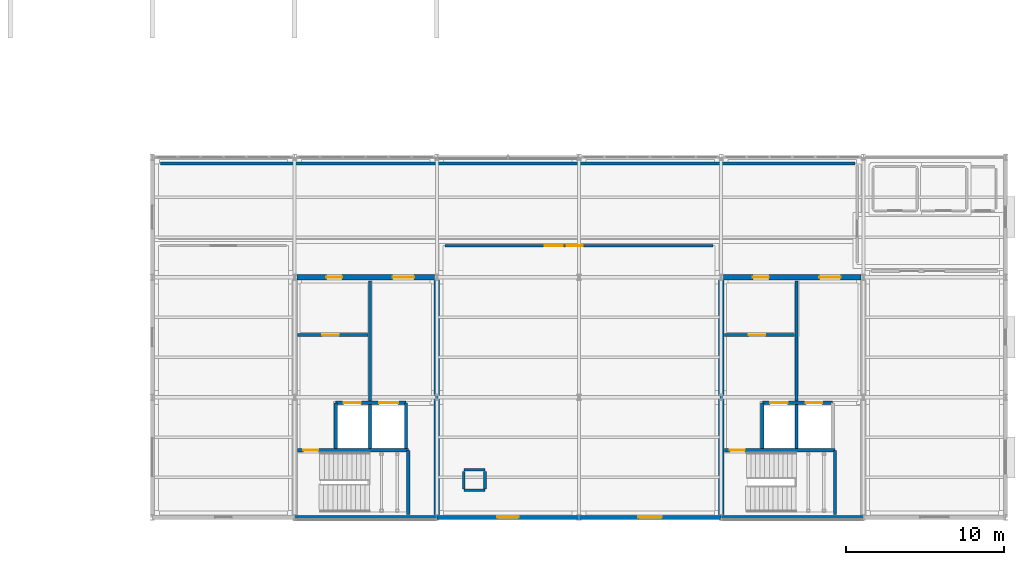
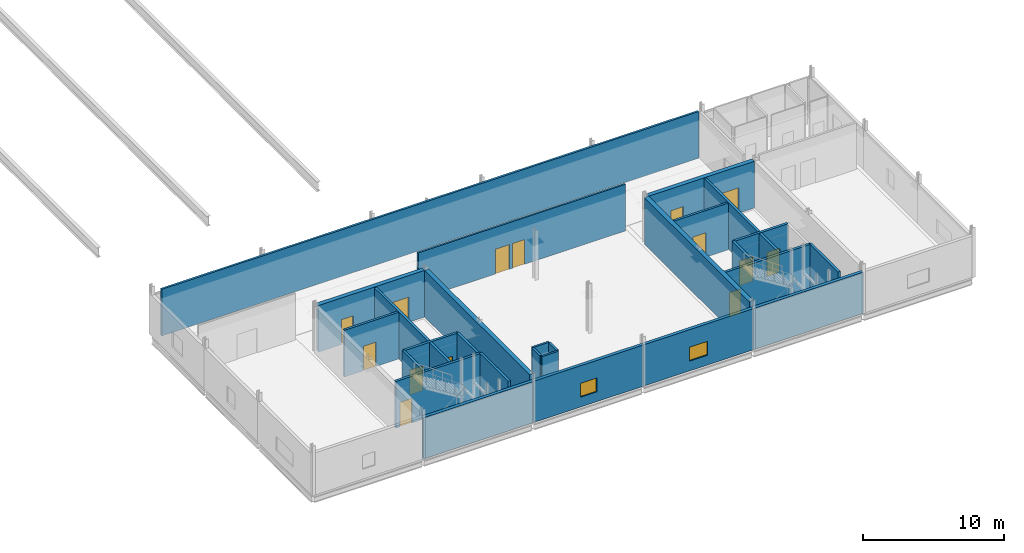
# One storey, part 86 of 96: 27 walls, 14 doors, 2 windows, 16 openings.
"""IFC4 building model written with IfcOpenShell, lengths in metres."""

import ifcopenshell
import ifcopenshell.guid

model = None  # the IFC model being written
_history = None  # IfcOwnerHistory: only IFC2X3 demands one
_inside = {}  # id of a spatial element -> (the spatial element, [elements in it])
_under = {}  # id of a project, library or spatial element -> (it, [spatial elements below it])
_declared = {}  # id of a project -> (the project, [libraries it declares])
_typed = {}  # id of a type object -> (the type object, [elements of that type])
_made_of = {}  # id of a material, layer set ... -> (it, [elements and type objects made of it])


def new_model(schema):
    """Start an empty IFC model of exactly this schema.

    Asked for "IFC4X3", IfcOpenShell would pick the latest addendum, in which some entities
    have other attributes; the version numbers below select the first issue.
    IFC2X3 requires an IfcOwnerHistory on every rooted entity: one is made here for all.
    """
    global model, _history
    if schema == "IFC4X3":
        model = ifcopenshell.file(schema_version=(4, 3, 0, 0))
    else:
        model = ifcopenshell.file(schema=schema)
    _inside.clear()
    _under.clear()
    _declared.clear()
    _typed.clear()
    _made_of.clear()
    _history = None
    if model.schema == "IFC2X3":
        org = make("IfcOrganization", Name="unknown")
        user = make(
            "IfcPersonAndOrganization",
            ThePerson=make("IfcPerson", FamilyName="unknown"),
            TheOrganization=org,
        )
        app = make(
            "IfcApplication",
            ApplicationDeveloper=org,
            Version="unknown",
            ApplicationFullName="unknown",
            ApplicationIdentifier="unknown",
        )
        _history = make(
            "IfcOwnerHistory",
            OwningUser=user,
            OwningApplication=app,
            ChangeAction="ADDED",
            CreationDate=0,
        )
    return model


def make(cls, **values):
    """One entity of the class cls with the attributes given. An attribute that is None is left unset."""
    return model.create_entity(
        cls, **{name: value for name, value in values.items() if value is not None}
    )


def rooted(cls, **values):
    """An entity with a GlobalId (a new one), such as an element, a storey or a relation."""
    return make(cls, GlobalId=ifcopenshell.guid.new(), OwnerHistory=_history, **values)


def si_unit(unit_type, name, prefix=None):
    """IfcSIUnit, for example si_unit("LENGTHUNIT", "METRE", prefix="MILLI")."""
    return make("IfcSIUnit", UnitType=unit_type, Prefix=prefix, Name=name)


def assignment(units):
    """IfcUnitAssignment: the units of a project."""
    return None if units is None else make("IfcUnitAssignment", Units=units)


def point(xyz):
    """IfcCartesianPoint."""
    return None if xyz is None else make("IfcCartesianPoint", Coordinates=xyz)


def direction(xyz):
    """IfcDirection."""
    return None if xyz is None else make("IfcDirection", DirectionRatios=xyz)


def frame(location, z_axis=None, x_axis=None):
    """IfcAxis2Placement3D, a coordinate frame: its origin and axes. An axis left out is left unset."""
    return make(
        "IfcAxis2Placement3D",
        Location=point(location),
        Axis=direction(z_axis),
        RefDirection=direction(x_axis),
    )


def frame_2d(location, x_axis=None):
    """IfcAxis2Placement2D, a coordinate frame in the plane: its origin and x axis."""
    return make(
        "IfcAxis2Placement2D", Location=point(location), RefDirection=direction(x_axis)
    )


def origin():
    """The frame at (0, 0, 0) with its axes left unset."""
    return frame((0.0, 0.0, 0.0))


def place(relative_to, where):
    """IfcLocalPlacement: puts the frame where relative to a parent placement (None: the world)."""
    return make(
        "IfcLocalPlacement", PlacementRelTo=relative_to, RelativePlacement=where
    )


def context(
    kind, dimensions, precision=None, world=None, true_north=None, identifier=None
):
    """IfcGeometricRepresentationContext, for example the 3D "Model" context."""
    return make(
        "IfcGeometricRepresentationContext",
        ContextIdentifier=identifier,
        ContextType=kind,
        CoordinateSpaceDimension=dimensions,
        Precision=precision,
        WorldCoordinateSystem=world,
        TrueNorth=true_north,
    )


def subcontext(parent, identifier, kind, view, scale=None):
    """IfcGeometricRepresentationSubContext, for example "Body" below "Model"."""
    return make(
        "IfcGeometricRepresentationSubContext",
        ContextIdentifier=identifier,
        ContextType=kind,
        ParentContext=parent,
        TargetScale=scale,
        TargetView=view,
    )


def project(units=None, contexts=None):
    """IfcProject with its units and contexts."""
    return rooted(
        "IfcProject",
        Name="project",
        RepresentationContexts=contexts,
        UnitsInContext=assignment(units),
    )


def spatial(cls, under=None, at=None, **own):
    """A site, building, storey or space (cls), placed at a placement, below another one or the project."""
    s = rooted(cls, ObjectPlacement=at, **own)
    if under is not None:
        _under.setdefault(under.id(), (under, []))[1].append(s)
    return s


def profile(cls, at=None, kind="AREA", **sizes):
    """A parametric profile (cls). Its sizes go by their IFC names, for example OverallWidth=200.0."""
    return make(cls, ProfileType=kind, Position=at, **sizes)


def rectangle(**sizes):
    """IfcRectangleProfileDef."""
    return profile("IfcRectangleProfileDef", **sizes)


def extrude(swept, where, along, depth):
    """IfcExtrudedAreaSolid: the profile swept, set in the frame where, extruded along a direction by depth."""
    return make(
        "IfcExtrudedAreaSolid",
        SweptArea=swept,
        Position=where,
        ExtrudedDirection=direction(along),
        Depth=depth,
    )


def shape(context_of_items, identifier, shape_type, items):
    """IfcShapeRepresentation: the items that make up one representation, for example the "Body"."""
    return make(
        "IfcShapeRepresentation",
        ContextOfItems=context_of_items,
        RepresentationIdentifier=identifier,
        RepresentationType=shape_type,
        Items=items,
    )


def material(Name=None, Category=None):
    """IfcMaterial."""
    return make("IfcMaterial", Name=Name, Category=Category)


def layer(
    of_material, thickness, ventilated=None, Name=None, Category=None, Priority=None
):
    """IfcMaterialLayer: one layer of a wall or slab, of a material (None: an air gap)."""
    return make(
        "IfcMaterialLayer",
        Material=of_material,
        LayerThickness=thickness,
        IsVentilated=ventilated,
        Name=Name,
        Category=Category,
        Priority=Priority,
    )


def layer_set(layers, Name=None):
    """IfcMaterialLayerSet."""
    return make("IfcMaterialLayerSet", MaterialLayers=layers, LayerSetName=Name)


def made_of(thing, what):
    """Note that an element or type object is made of a material, layer set ...; save() writes the relation."""
    if what is not None:
        _made_of.setdefault(what.id(), (what, []))[1].append(thing)
    return thing


def type_object(cls, material=None, **own):
    """A type object (cls), such as IfcWallType, which elements share."""
    return made_of(rooted(cls, **own), material)


def element(
    cls,
    number,
    at=None,
    inside=None,
    cuts=None,
    type_object=None,
    material=None,
    context=None,
    identifier="Body",
    shape_type=None,
    held_by="IfcProductDefinitionShape",
    body=None,
    shapes=None,
    **own,
):
    """One element of the class cls, such as IfcWall. Its Tag is "e" and its number.

    at: its placement. inside: the storey or other place that contains it. cuts: it is an
    opening in that element (IfcRelVoidsElement). A single representation is given by context,
    identifier, shape_type and body (its items); several are given by shapes. held_by: the class
    of the entity that holds the representations. save() writes the other relations.
    """
    e = rooted(cls, Tag="e%d" % number, ObjectPlacement=at, **own)
    if body is not None:
        shapes = [shape(context, identifier, shape_type, body)]
    if shapes is not None:
        e.Representation = make(held_by, Representations=shapes)
    if inside is not None:
        _inside.setdefault(inside.id(), (inside, []))[1].append(e)
    if cuts is not None:
        rooted(
            "IfcRelVoidsElement", RelatingBuildingElement=cuts, RelatedOpeningElement=e
        )
    if type_object is not None:
        _typed.setdefault(type_object.id(), (type_object, []))[1].append(e)
    return made_of(e, material)


def fill(opening, filler):
    """IfcRelFillsElement: the door or window that sits in an opening."""
    return rooted(
        "IfcRelFillsElement",
        RelatingOpeningElement=opening,
        RelatedBuildingElement=filler,
    )


def aggregate(whole, parts):
    """IfcRelAggregates: a whole, such as a stair, and the parts it consists of."""
    return rooted("IfcRelAggregates", RelatingObject=whole, RelatedObjects=parts)


def save(model, path):
    """Write the relations noted so far, then the file.

    IfcRelAggregates (storeys below a building ...), IfcRelContainedInSpatialStructure (elements
    in a storey), IfcRelDefinesByType, IfcRelAssociatesMaterial and IfcRelDeclares: one each for
    every whole, place, type object, material and project.
    """
    for whole, parts in _under.values():
        aggregate(whole, parts)
    for where, things in _inside.values():
        rooted(
            "IfcRelContainedInSpatialStructure",
            RelatedElements=things,
            RelatingStructure=where,
        )
    for kind, things in _typed.values():
        rooted("IfcRelDefinesByType", RelatedObjects=things, RelatingType=kind)
    for what, things in _made_of.values():
        rooted("IfcRelAssociatesMaterial", RelatedObjects=things, RelatingMaterial=what)
    for by, libraries in _declared.values():
        rooted("IfcRelDeclares", RelatingContext=by, RelatedDefinitions=libraries)
    model.write(path)


model = new_model("IFC4")

# Units and contexts
model_context = context("Model", 3, precision=1e-05, world=origin(), true_north=direction((0.0, 1.0)))
body_context = subcontext(model_context, "Body", "Model", "MODEL_VIEW")
ifc_project = project(units=[si_unit("LENGTHUNIT", "METRE"), si_unit("AREAUNIT", "SQUARE_METRE"), si_unit("VOLUMEUNIT", "CUBIC_METRE"), si_unit("PLANEANGLEUNIT", "RADIAN"), si_unit("MASSUNIT", "GRAM", prefix="KILO")], contexts=[model_context])

# Site, building, storey
site_placement = place(None, origin())
site = spatial("IfcSite", under=ifc_project, at=site_placement, CompositionType="ELEMENT")
building_placement = place(site_placement, origin())
building = spatial("IfcBuilding", under=site, at=building_placement, Name="Caisbarro Railhouse Central Library", CompositionType="ELEMENT")
storey_placement = place(building_placement, frame((0.0, 0.0, 13.679931640625)))
storey = spatial("IfcBuildingStorey", under=building, at=storey_placement, Name="L03", CompositionType="ELEMENT", Elevation=13.679931640625)

# Wall, openings, doors
ifc_material_1 = material(Name="Concrete C40", Category="concrete")
ifc_layer_1 = layer(ifc_material_1, 0.35009765625, Name="Concrete C40")
ifc_layer_set_1 = layer_set([ifc_layer_1], Name="Concrete C40")
wall_type_1 = type_object("IfcWallType", Name="WAL-CW35", PredefinedType="SHEAR", material=ifc_layer_set_1)
wall_1_placement = place(storey_placement, frame((63.159912109375, 15.199951171875, 0.0), z_axis=(0.0, 0.0, 1.0), x_axis=(1.0, 0.0, 0.0)))
wall_1 = element("IfcWall", 1, at=wall_1_placement, inside=storey, type_object=wall_type_1, Name="CW35 RC core shear wall L03 #13", PredefinedType="SHEAR", context=body_context, shape_type="SweptSolid", body=[
    extrude(rectangle(XDim=8.68017578125, YDim=0.35009765625, at=frame_2d((4.340087890625, 0.0))), origin(), (0.0, 0.0, 1.0), 4.0400390625),
])
opening_1_placement = place(wall_1_placement, frame((1.85009765625, 0.0, 0.0)))
opening_1 = element("IfcOpeningElement", 2, at=opening_1_placement, cuts=wall_1, Name="Opening FD05", PredefinedType="OPENING", context=body_context, shape_type="SweptSolid", body=[
    extrude(rectangle(XDim=1.0, YDim=2.14990234375, at=frame_2d((0.5, 1.074951171875))), frame((0.0, 0.18505859375, 0.0), z_axis=(0.0, -1.0, 0.0), x_axis=(1.0, 0.0, 0.0)), (0.0, 0.0, 1.0), 0.3701171875),
])
opening_2_placement = place(wall_1_placement, frame((6.050048828125, 0.0, 0.0)))
opening_2 = element("IfcOpeningElement", 3, at=opening_2_placement, cuts=wall_1, Name="Opening FD06", PredefinedType="OPENING", context=body_context, shape_type="SweptSolid", body=[
    extrude(rectangle(XDim=1.35009765625, YDim=2.179931640625, at=frame_2d((0.675048828125, 1.08984375))), frame((0.0, 0.18505859375, 0.0), z_axis=(0.0, -1.0, 0.0), x_axis=(1.0, 0.0, 0.0)), (0.0, 0.0, 1.0), 0.3701171875),
])
ifc_material_2 = material(Name="Fire-rated painted galvanised steel", Category="steel")
door_type_1 = type_object("IfcDoorType", Name="DR-FD05", OperationType="NOTDEFINED", PredefinedType="DOOR", material=ifc_material_2)
door_1_placement = place(opening_1_placement, origin())
door_1 = element("IfcDoor", 4, at=door_1_placement, inside=storey, type_object=door_type_1, Name="Core K1 Vestibule Door FD05 L03-029", OperationType="SINGLE_SWING_LEFT", OverallHeight=2.14990234375, OverallWidth=1.0, PredefinedType="DOOR", context=body_context, shape_type="SweptSolid", body=[
    extrude(rectangle(XDim=1.0, YDim=2.14990234375, at=frame_2d((0.5, 1.074951171875))), frame((0.0, 0.02490234375, 0.0), z_axis=(0.0, -1.0, 0.0), x_axis=(1.0, 0.0, 0.0)), (0.0, 0.0, 1.0), 0.050048828125),
])
fill(opening_1, door_1)
door_type_2 = type_object("IfcDoorType", Name="DR-FD06", OperationType="NOTDEFINED", PredefinedType="DOOR", material=ifc_material_2)
door_2_placement = place(opening_2_placement, origin())
door_2 = element("IfcDoor", 5, at=door_2_placement, inside=storey, type_object=door_type_2, Name="Core K1 Lift Lobby Door FD06 L03-030", OperationType="SINGLE_SWING_RIGHT", OverallHeight=2.179931640625, OverallWidth=1.35009765625, PredefinedType="DOOR", context=body_context, shape_type="SweptSolid", body=[
    extrude(rectangle(XDim=1.35009765625, YDim=2.179931640625, at=frame_2d((0.675048828125, 1.08984375))), frame((0.0, 0.02490234375, 0.0), z_axis=(0.0, -1.0, 0.0), x_axis=(1.0, 0.0, 0.0)), (0.0, 0.0, 1.0), 0.050048828125),
])
fill(opening_2, door_2)

# Wall
wall_2_placement = place(storey_placement, frame((72.0, 0.159912109375, 0.0), z_axis=(0.0, 0.0, 1.0), x_axis=(0.0, 1.0, 0.0)))
element("IfcWall", 6, at=wall_2_placement, inside=storey, type_object=wall_type_1, Name="CW35 RC core shear wall L03 #15", PredefinedType="SHEAR", context=body_context, shape_type="SweptSolid", body=[
    extrude(rectangle(XDim=14.880126953125, YDim=0.35009765625, at=frame_2d((7.43994140625, 0.0))), origin(), (0.0, 0.0, 1.0), 4.0400390625),
])

# Wall, openings, doors
wall_3_placement = place(storey_placement, frame((90.159912109375, 15.199951171875, 0.0), z_axis=(0.0, 0.0, 1.0), x_axis=(1.0, 0.0, 0.0)))
wall_3 = element("IfcWall", 7, at=wall_3_placement, inside=storey, type_object=wall_type_1, Name="CW35 RC core shear wall L03 #32", PredefinedType="SHEAR", context=body_context, shape_type="SweptSolid", body=[
    extrude(rectangle(XDim=8.68017578125, YDim=0.35009765625, at=frame_2d((4.340087890625, 0.0))), origin(), (0.0, 0.0, 1.0), 4.0400390625),
])
opening_3_placement = place(wall_3_placement, frame((1.85009765625, 0.0, 0.0)))
opening_3 = element("IfcOpeningElement", 8, at=opening_3_placement, cuts=wall_3, Name="Opening FD05", PredefinedType="OPENING", context=body_context, shape_type="SweptSolid", body=[
    extrude(rectangle(XDim=1.0, YDim=2.14990234375, at=frame_2d((0.5, 1.074951171875))), frame((0.0, 0.18505859375, 0.0), z_axis=(0.0, -1.0, 0.0), x_axis=(1.0, 0.0, 0.0)), (0.0, 0.0, 1.0), 0.3701171875),
])
opening_4_placement = place(wall_3_placement, frame((6.050048828125, 0.0, 0.0)))
opening_4 = element("IfcOpeningElement", 9, at=opening_4_placement, cuts=wall_3, Name="Opening FD06", PredefinedType="OPENING", context=body_context, shape_type="SweptSolid", body=[
    extrude(rectangle(XDim=1.35009765625, YDim=2.179931640625, at=frame_2d((0.675048828125, 1.08984375))), frame((0.0, 0.18505859375, 0.0), z_axis=(0.0, -1.0, 0.0), x_axis=(1.0, 0.0, 0.0)), (0.0, 0.0, 1.0), 0.3701171875),
])
door_3_placement = place(opening_3_placement, origin())
door_3 = element("IfcDoor", 10, at=door_3_placement, inside=storey, type_object=door_type_1, Name="Core K2 Vestibule Door FD05 L03-071", OperationType="SINGLE_SWING_LEFT", OverallHeight=2.14990234375, OverallWidth=1.0, PredefinedType="DOOR", context=body_context, shape_type="SweptSolid", body=[
    extrude(rectangle(XDim=1.0, YDim=2.14990234375, at=frame_2d((0.5, 1.074951171875))), frame((0.0, 0.02490234375, 0.0), z_axis=(0.0, -1.0, 0.0), x_axis=(1.0, 0.0, 0.0)), (0.0, 0.0, 1.0), 0.050048828125),
])
fill(opening_3, door_3)
door_4_placement = place(opening_4_placement, origin())
door_4 = element("IfcDoor", 11, at=door_4_placement, inside=storey, type_object=door_type_2, Name="Core K2 Lift Lobby Door FD06 L03-072", OperationType="SINGLE_SWING_RIGHT", OverallHeight=2.179931640625, OverallWidth=1.35009765625, PredefinedType="DOOR", context=body_context, shape_type="SweptSolid", body=[
    extrude(rectangle(XDim=1.35009765625, YDim=2.179931640625, at=frame_2d((0.675048828125, 1.08984375))), frame((0.0, 0.02490234375, 0.0), z_axis=(0.0, -1.0, 0.0), x_axis=(1.0, 0.0, 0.0)), (0.0, 0.0, 1.0), 0.050048828125),
])
fill(opening_4, door_4)

# Walls
wall_4_placement = place(storey_placement, frame((90.0, 0.159912109375, 0.0), z_axis=(0.0, 0.0, 1.0), x_axis=(0.0, 1.0, 0.0)))
element("IfcWall", 12, at=wall_4_placement, inside=storey, type_object=wall_type_1, Name="CW35 RC core shear wall L03 #33", PredefinedType="SHEAR", context=body_context, shape_type="SweptSolid", body=[
    extrude(rectangle(XDim=14.880126953125, YDim=0.35009765625, at=frame_2d((7.43994140625, 0.0))), origin(), (0.0, 0.0, 1.0), 4.0400390625),
])
ifc_material_3 = material(Name="Concrete C35 insulated architectural precast", Category="concrete")
ifc_layer_2 = layer(ifc_material_3, 0.260009765625, Name="Concrete C35 insulated architectural precast")
ifc_layer_set_2 = layer_set([ifc_layer_2], Name="Concrete C35 insulated architectural precast")
wall_type_2 = type_object("IfcWallType", Name="WAL-EW26", PredefinedType="STANDARD", material=ifc_layer_set_2)
wall_5_placement = place(storey_placement, frame((63.0, 0.0, 0.0), z_axis=(0.0, 0.0, 1.0), x_axis=(1.0, 0.0, 0.0)))
element("IfcWall", 13, at=wall_5_placement, inside=storey, type_object=wall_type_2, Name="EW26 exterior wall L03 #106", PredefinedType="STANDARD", context=body_context, shape_type="SweptSolid", body=[
    extrude(rectangle(XDim=9.0, YDim=0.260009765625, at=frame_2d((4.5, 0.0))), origin(), (0.0, 0.0, 1.0), 3.571044921875),
])

# Wall, opening, window
wall_6_placement = place(storey_placement, frame((72.0, 0.0, 0.0), z_axis=(0.0, 0.0, 1.0), x_axis=(1.0, 0.0, 0.0)))
wall_6 = element("IfcWall", 14, at=wall_6_placement, inside=storey, type_object=wall_type_2, Name="EW26 exterior wall L03 #107", PredefinedType="STANDARD", context=body_context, shape_type="SweptSolid", body=[
    extrude(rectangle(XDim=9.0, YDim=0.260009765625, at=frame_2d((4.5, 0.0))), origin(), (0.0, 0.0, 1.0), 3.571044921875),
])
opening_5_placement = place(wall_6_placement, frame((3.824951171875, 0.0, 0.85009765625)))
opening_5 = element("IfcOpeningElement", 15, at=opening_5_placement, cuts=wall_6, Name="Opening W04", PredefinedType="OPENING", context=body_context, shape_type="SweptSolid", body=[
    extrude(rectangle(XDim=1.35009765625, YDim=1.199951171875, at=frame_2d((0.675048828125, 0.60009765625))), frame((0.0, 0.14013671875, 0.0), z_axis=(0.0, -1.0, 0.0), x_axis=(1.0, 0.0, 0.0)), (0.0, 0.0, 1.0), 0.280029296875),
])
ifc_material_4 = material(Name="Double low-e laminated solar-control glass", Category="glass")
window_type_1 = type_object("IfcWindowType", Name="WIN-W04", PartitioningType="SINGLE_PANEL", PredefinedType="WINDOW", material=ifc_material_4)
window_1_placement = place(opening_5_placement, origin())
window_1 = element("IfcWindow", 16, at=window_1_placement, inside=storey, type_object=window_type_1, Name="W04 window L03-028", OverallHeight=1.199951171875, OverallWidth=1.35009765625, PartitioningType="SINGLE_PANEL", PredefinedType="WINDOW", context=body_context, shape_type="SweptSolid", body=[
    extrude(rectangle(XDim=1.35009765625, YDim=1.199951171875, at=frame_2d((0.675048828125, 0.60009765625))), frame((0.0, 0.030029296875, 0.0), z_axis=(0.0, -1.0, 0.0), x_axis=(1.0, 0.0, 0.0)), (0.0, 0.0, 1.0), 0.06005859375),
])
fill(opening_5, window_1)

wall_7_placement = place(storey_placement, frame((81.0, 0.0, 0.0), z_axis=(0.0, 0.0, 1.0), x_axis=(1.0, 0.0, 0.0)))
wall_7 = element("IfcWall", 17, at=wall_7_placement, inside=storey, type_object=wall_type_2, Name="EW26 exterior wall L03 #108", PredefinedType="STANDARD", context=body_context, shape_type="SweptSolid", body=[
    extrude(rectangle(XDim=9.0, YDim=0.260009765625, at=frame_2d((4.5, 0.0))), origin(), (0.0, 0.0, 1.0), 3.571044921875),
])
opening_6_placement = place(wall_7_placement, frame((3.75, 0.0, 0.85009765625)))
opening_6 = element("IfcOpeningElement", 18, at=opening_6_placement, cuts=wall_7, Name="Opening W05", PredefinedType="OPENING", context=body_context, shape_type="SweptSolid", body=[
    extrude(rectangle(XDim=1.5, YDim=1.199951171875, at=frame_2d((0.75, 0.60009765625))), frame((0.0, 0.14013671875, 0.0), z_axis=(0.0, -1.0, 0.0), x_axis=(1.0, 0.0, 0.0)), (0.0, 0.0, 1.0), 0.280029296875),
])
window_type_2 = type_object("IfcWindowType", Name="WIN-W05", PartitioningType="SINGLE_PANEL", PredefinedType="WINDOW", material=ifc_material_4)
window_2_placement = place(opening_6_placement, origin())
window_2 = element("IfcWindow", 19, at=window_2_placement, inside=storey, type_object=window_type_2, Name="W05 window L03-029", OverallHeight=1.199951171875, OverallWidth=1.5, PartitioningType="SINGLE_PANEL", PredefinedType="WINDOW", context=body_context, shape_type="SweptSolid", body=[
    extrude(rectangle(XDim=1.5, YDim=1.199951171875, at=frame_2d((0.75, 0.60009765625))), frame((0.0, 0.030029296875, 0.0), z_axis=(0.0, -1.0, 0.0), x_axis=(1.0, 0.0, 0.0)), (0.0, 0.0, 1.0), 0.06005859375),
])
fill(opening_6, window_2)

# Wall
wall_8_placement = place(storey_placement, frame((90.0, 0.0, 0.0), z_axis=(0.0, 0.0, 1.0), x_axis=(1.0, 0.0, 0.0)))
element("IfcWall", 20, at=wall_8_placement, inside=storey, type_object=wall_type_2, Name="EW26 exterior wall L03 #109", PredefinedType="STANDARD", context=body_context, shape_type="SweptSolid", body=[
    extrude(rectangle(XDim=9.0, YDim=0.260009765625, at=frame_2d((4.5, 0.0))), origin(), (0.0, 0.0, 1.0), 3.571044921875),
])

# Wall, openings, doors
ifc_material_5 = material(Name="Acoustic gypsum board on galvanised steel studs", Category="steel")
ifc_layer_3 = layer(ifc_material_5, 0.14990234375, Name="Acoustic gypsum board on galvanised steel studs")
ifc_layer_set_3 = layer_set([ifc_layer_3], Name="Acoustic gypsum board on galvanised steel studs")
wall_type_3 = type_object("IfcWallType", Name="WAL-IW15", PredefinedType="PARTITIONING", material=ifc_layer_set_3)
wall_9_placement = place(storey_placement, frame((72.52001953125, 17.199951171875, 0.0), z_axis=(0.0, 0.0, 1.0), x_axis=(1.0, 0.0, 0.0)))
wall_9 = element("IfcWall", 21, at=wall_9_placement, inside=storey, type_object=wall_type_3, Name="IW15 partition wall L03 #545", PredefinedType="PARTITIONING", context=body_context, shape_type="SweptSolid", body=[
    extrude(rectangle(XDim=16.9599609375, YDim=0.14990234375, at=frame_2d((8.47998046875, 0.0))), origin(), (0.0, 0.0, 1.0), 4.0400390625),
])
opening_7_placement = place(wall_9_placement, frame((7.715087890625, 0.0, 0.0)))
opening_7 = element("IfcOpeningElement", 22, at=opening_7_placement, cuts=wall_9, Name="Opening FD05", PredefinedType="OPENING", context=body_context, shape_type="SweptSolid", body=[
    extrude(rectangle(XDim=1.0, YDim=2.14990234375, at=frame_2d((0.5, 1.074951171875))), frame((0.0, 0.0849609375, 0.0), z_axis=(0.0, -1.0, 0.0), x_axis=(1.0, 0.0, 0.0)), (0.0, 0.0, 1.0), 0.169921875),
])
opening_8_placement = place(wall_9_placement, frame((6.304931640625, 0.0, 0.0)))
opening_8 = element("IfcOpeningElement", 23, at=opening_8_placement, cuts=wall_9, Name="Opening FD03", PredefinedType="OPENING", context=body_context, shape_type="SweptSolid", body=[
    extrude(rectangle(XDim=1.14990234375, YDim=2.14990234375, at=frame_2d((0.574951171875, 1.074951171875))), frame((0.0, 0.0849609375, 0.0), z_axis=(0.0, -1.0, 0.0), x_axis=(1.0, 0.0, 0.0)), (0.0, 0.0, 1.0), 0.169921875),
])
door_type_3 = type_object("IfcDoorType", Name="DR-FD03", OperationType="NOTDEFINED", PredefinedType="DOOR", material=ifc_material_2)
door_5_placement = place(opening_8_placement, origin())
door_5 = element("IfcDoor", 24, at=door_5_placement, inside=storey, type_object=door_type_3, Name="Archive Corridor L03 Door FD03 L03-326", OperationType="SINGLE_SWING_RIGHT", OverallHeight=2.14990234375, OverallWidth=1.14990234375, PredefinedType="DOOR", context=body_context, shape_type="SweptSolid", body=[
    extrude(rectangle(XDim=1.14990234375, YDim=2.14990234375, at=frame_2d((0.574951171875, 1.074951171875))), frame((0.0, 0.02490234375, 0.0), z_axis=(0.0, -1.0, 0.0), x_axis=(1.0, 0.0, 0.0)), (0.0, 0.0, 1.0), 0.050048828125),
])
fill(opening_8, door_5)
door_6_placement = place(opening_7_placement, origin())
door_6 = element("IfcDoor", 25, at=door_6_placement, inside=storey, type_object=door_type_1, Name="Law and Public-Policy Open Stacks Door FD05 L03-309", OperationType="SINGLE_SWING_LEFT", OverallHeight=2.14990234375, OverallWidth=1.0, PredefinedType="DOOR", context=body_context, shape_type="SweptSolid", body=[
    extrude(rectangle(XDim=1.0, YDim=2.14990234375, at=frame_2d((0.5, 1.074951171875))), frame((0.0, 0.02490234375, 0.0), z_axis=(0.0, -1.0, 0.0), x_axis=(1.0, 0.0, 0.0)), (0.0, 0.0, 1.0), 0.050048828125),
])
fill(opening_7, door_6)

# Walls
ifc_material_6 = material(Name="Plastered cellular concrete masonry", Category="masonry")
ifc_layer_4 = layer(ifc_material_6, 0.169921875, Name="Plastered cellular concrete masonry")
ifc_layer_set_4 = layer_set([ifc_layer_4], Name="Plastered cellular concrete masonry")
wall_type_4 = type_object("IfcWallType", Name="WAL-IW17", PredefinedType="PARTITIONING", material=ifc_layer_set_4)
wall_10_placement = place(storey_placement, frame((73.7099609375, 1.7099609375, 0.0), z_axis=(0.0, 0.0, 1.0), x_axis=(1.0, 0.0, 0.0)))
element("IfcWall", 26, at=wall_10_placement, inside=storey, type_object=wall_type_4, Name="IW17 partition wall L03 #227", PredefinedType="PARTITIONING", context=body_context, shape_type="SweptSolid", body=[
    extrude(rectangle(XDim=1.340087890625, YDim=0.169921875, at=frame_2d((0.669921875, 0.0))), origin(), (0.0, 0.0, 1.0), 4.0400390625),
])
wall_11_placement = place(storey_placement, frame((75.050048828125, 1.800048828125, 0.0), z_axis=(0.0, 0.0, 1.0), x_axis=(0.0, 1.0, 0.0)))
element("IfcWall", 27, at=wall_11_placement, inside=storey, type_object=wall_type_4, Name="IW17 partition wall L03 #228", PredefinedType="PARTITIONING", context=body_context, shape_type="SweptSolid", body=[
    extrude(rectangle(XDim=1.119873046875, YDim=0.169921875, at=frame_2d((0.56005859375, 0.0))), origin(), (0.0, 0.0, 1.0), 4.0400390625),
])
wall_12_placement = place(storey_placement, frame((75.050048828125, 3.010009765625, 0.0), z_axis=(0.0, 0.0, 1.0), x_axis=(-1.0, 0.0, 0.0)))
element("IfcWall", 28, at=wall_12_placement, inside=storey, type_object=wall_type_4, Name="IW17 partition wall L03 #229", PredefinedType="PARTITIONING", context=body_context, shape_type="SweptSolid", body=[
    extrude(rectangle(XDim=1.340087890625, YDim=0.169921875, at=frame_2d((0.669921875, 0.0))), origin(), (0.0, 0.0, 1.0), 4.0400390625),
])
wall_13_placement = place(storey_placement, frame((73.7099609375, 2.919921875, 0.0), z_axis=(0.0, 0.0, 1.0), x_axis=(0.0, -1.0, 0.0)))
element("IfcWall", 29, at=wall_13_placement, inside=storey, type_object=wall_type_4, Name="IW17 partition wall L03 #230", PredefinedType="PARTITIONING", context=body_context, shape_type="SweptSolid", body=[
    extrude(rectangle(XDim=1.119873046875, YDim=0.169921875, at=frame_2d((0.56005859375, 0.0))), origin(), (0.0, 0.0, 1.0), 4.0400390625),
])
wall_14_placement = place(storey_placement, frame((54.52001953125, 22.39990234375, 0.0), z_axis=(0.0, 0.0, 1.0), x_axis=(1.0, 0.0, 0.0)))
element("IfcWall", 30, at=wall_14_placement, inside=storey, type_object=wall_type_4, Name="IW17 partition wall L03 #595", PredefinedType="PARTITIONING", context=body_context, shape_type="SweptSolid", body=[
    extrude(rectangle(XDim=43.9599609375, YDim=0.169921875, at=frame_2d((21.97998046875, 0.0))), origin(), (0.0, 0.0, 1.0), 4.0400390625),
])

# Wall, opening, door
ifc_layer_5 = layer(ifc_material_6, 0.18994140625, Name="Plastered cellular concrete masonry")
ifc_layer_set_5 = layer_set([ifc_layer_5], Name="Plastered cellular concrete masonry")
wall_type_5 = type_object("IfcWallType", Name="WAL-SW19", PredefinedType="SOLIDWALL", material=ifc_layer_set_5)
wall_15_placement = place(storey_placement, frame((63.199951171875, 11.550048828125, 0.0), z_axis=(0.0, 0.0, 1.0), x_axis=(1.0, 0.0, 0.0)))
wall_15 = element("IfcWall", 31, at=wall_15_placement, inside=storey, type_object=wall_type_5, Name="SW19 partition wall L03 #35", PredefinedType="SOLIDWALL", context=body_context, shape_type="SweptSolid", body=[
    extrude(rectangle(XDim=4.449951171875, YDim=0.18994140625, at=frame_2d((2.22509765625, 0.0))), origin(), (0.0, 0.0, 1.0), 4.0400390625),
])
opening_9_placement = place(wall_15_placement, frame((1.550048828125, 0.0, 0.0)))
opening_9 = element("IfcOpeningElement", 32, at=opening_9_placement, cuts=wall_15, Name="Opening FD02", PredefinedType="OPENING", context=body_context, shape_type="SweptSolid", body=[
    extrude(rectangle(XDim=1.050048828125, YDim=2.1201171875, at=frame_2d((0.52490234375, 1.06005859375))), frame((0.0, 0.10498046875, 0.0), z_axis=(0.0, -1.0, 0.0), x_axis=(1.0, 0.0, 0.0)), (0.0, 0.0, 1.0), 0.2099609375),
])
door_type_4 = type_object("IfcDoorType", Name="DR-FD02", OperationType="NOTDEFINED", PredefinedType="DOOR", material=ifc_material_2)
door_7_placement = place(opening_9_placement, origin())
door_7 = element("IfcDoor", 33, at=door_7_placement, inside=storey, type_object=door_type_4, Name="Firefighting Lobby K1 Door FD02 L03-028", OperationType="SINGLE_SWING_RIGHT", OverallHeight=2.1201171875, OverallWidth=1.050048828125, PredefinedType="DOOR", context=body_context, shape_type="SweptSolid", body=[
    extrude(rectangle(XDim=1.050048828125, YDim=2.1201171875, at=frame_2d((0.52490234375, 1.06005859375))), frame((0.0, 0.02490234375, 0.0), z_axis=(0.0, -1.0, 0.0), x_axis=(1.0, 0.0, 0.0)), (0.0, 0.0, 1.0), 0.050048828125),
])
fill(opening_9, door_7)

wall_16_placement = place(storey_placement, frame((90.199951171875, 11.550048828125, 0.0), z_axis=(0.0, 0.0, 1.0), x_axis=(1.0, 0.0, 0.0)))
wall_16 = element("IfcWall", 34, at=wall_16_placement, inside=storey, type_object=wall_type_5, Name="SW19 partition wall L03 #84", PredefinedType="SOLIDWALL", context=body_context, shape_type="SweptSolid", body=[
    extrude(rectangle(XDim=4.449951171875, YDim=0.18994140625, at=frame_2d((2.22509765625, 0.0))), origin(), (0.0, 0.0, 1.0), 4.0400390625),
])
opening_10_placement = place(wall_16_placement, frame((1.550048828125, 0.0, 0.0)))
opening_10 = element("IfcOpeningElement", 35, at=opening_10_placement, cuts=wall_16, Name="Opening FD02", PredefinedType="OPENING", context=body_context, shape_type="SweptSolid", body=[
    extrude(rectangle(XDim=1.050048828125, YDim=2.1201171875, at=frame_2d((0.52490234375, 1.06005859375))), frame((0.0, 0.10498046875, 0.0), z_axis=(0.0, -1.0, 0.0), x_axis=(1.0, 0.0, 0.0)), (0.0, 0.0, 1.0), 0.2099609375),
])
door_8_placement = place(opening_10_placement, origin())
door_8 = element("IfcDoor", 36, at=door_8_placement, inside=storey, type_object=door_type_4, Name="Firefighting Lobby K2 Door FD02 L03-070", OperationType="SINGLE_SWING_RIGHT", OverallHeight=2.1201171875, OverallWidth=1.050048828125, PredefinedType="DOOR", context=body_context, shape_type="SweptSolid", body=[
    extrude(rectangle(XDim=1.050048828125, YDim=2.1201171875, at=frame_2d((0.52490234375, 1.06005859375))), frame((0.0, 0.02490234375, 0.0), z_axis=(0.0, -1.0, 0.0), x_axis=(1.0, 0.0, 0.0)), (0.0, 0.0, 1.0), 0.050048828125),
])
fill(opening_10, door_8)

ifc_layer_6 = layer(ifc_material_1, 0.2099609375, Name="Concrete C40")
ifc_layer_set_6 = layer_set([ifc_layer_6], Name="Concrete C40")
wall_type_6 = type_object("IfcWallType", Name="WAL-SW21", PredefinedType="SOLIDWALL", material=ifc_layer_set_6)
wall_17_placement = place(storey_placement, frame((63.199951171875, 4.25, 0.0), z_axis=(0.0, 0.0, 1.0), x_axis=(1.0, 0.0, 0.0)))
wall_17 = element("IfcWall", 37, at=wall_17_placement, inside=storey, type_object=wall_type_6, Name="SW21 core shaft wall L03 #29", PredefinedType="SOLIDWALL", context=body_context, shape_type="SweptSolid", body=[
    extrude(rectangle(XDim=7.0, YDim=0.2099609375, at=frame_2d((3.5, 0.0))), origin(), (0.0, 0.0, 1.0), 4.0400390625),
])
opening_11_placement = place(wall_17_placement, frame((0.35009765625, 0.0, 0.0)))
opening_11 = element("IfcOpeningElement", 38, at=opening_11_placement, cuts=wall_17, Name="Opening FD01", PredefinedType="OPENING", context=body_context, shape_type="SweptSolid", body=[
    extrude(rectangle(XDim=0.949951171875, YDim=2.1201171875, at=frame_2d((0.47509765625, 1.06005859375))), frame((0.0, 0.114990234375, 0.0), z_axis=(0.0, -1.0, 0.0), x_axis=(1.0, 0.0, 0.0)), (0.0, 0.0, 1.0), 0.22998046875),
])
door_type_5 = type_object("IfcDoorType", Name="DR-FD01", OperationType="NOTDEFINED", PredefinedType="DOOR", material=ifc_material_2)
door_9_placement = place(opening_11_placement, origin())
door_9 = element("IfcDoor", 39, at=door_9_placement, inside=storey, type_object=door_type_5, Name="Stair ST-01 Fire Door FD01 L03-025", OperationType="SINGLE_SWING_LEFT", OverallHeight=2.1201171875, OverallWidth=0.949951171875, PredefinedType="DOOR", context=body_context, shape_type="SweptSolid", body=[
    extrude(rectangle(XDim=0.949951171875, YDim=2.1201171875, at=frame_2d((0.47509765625, 1.06005859375))), frame((0.0, 0.02490234375, 0.0), z_axis=(0.0, -1.0, 0.0), x_axis=(1.0, 0.0, 0.0)), (0.0, 0.0, 1.0), 0.050048828125),
])
fill(opening_11, door_9)

# Walls
wall_18_placement = place(storey_placement, frame((70.199951171875, 0.199951171875, 0.0), z_axis=(0.0, 0.0, 1.0), x_axis=(0.0, 1.0, 0.0)))
element("IfcWall", 40, at=wall_18_placement, inside=storey, type_object=wall_type_6, Name="SW21 core shaft wall L03 #30", PredefinedType="SOLIDWALL", context=body_context, shape_type="SweptSolid", body=[
    extrude(rectangle(XDim=4.050048828125, YDim=0.2099609375, at=frame_2d((2.02490234375, 0.0))), origin(), (0.0, 0.0, 1.0), 4.0400390625),
])
wall_19_placement = place(storey_placement, frame((65.60009765625, 4.35009765625, 0.0), z_axis=(0.0, 0.0, 1.0), x_axis=(0.0, 1.0, 0.0)))
element("IfcWall", 41, at=wall_19_placement, inside=storey, type_object=wall_type_6, Name="SW21 core shaft wall L03 #31", PredefinedType="SOLIDWALL", context=body_context, shape_type="SweptSolid", body=[
    extrude(rectangle(XDim=2.89990234375, YDim=0.2099609375, at=frame_2d((1.449951171875, 0.0))), origin(), (0.0, 0.0, 1.0), 4.0400390625),
])
wall_20_placement = place(storey_placement, frame((67.77001953125, 4.35009765625, 0.0), z_axis=(0.0, 0.0, 1.0), x_axis=(0.0, 1.0, 0.0)))
element("IfcWall", 42, at=wall_20_placement, inside=storey, type_object=wall_type_6, Name="SW21 core shaft wall L03 #32", PredefinedType="SOLIDWALL", context=body_context, shape_type="SweptSolid", body=[
    extrude(rectangle(XDim=10.599853515625, YDim=0.2099609375, at=frame_2d((5.2998046875, 0.0))), origin(), (0.0, 0.0, 1.0), 4.0400390625),
])
wall_21_placement = place(storey_placement, frame((70.050048828125, 4.35009765625, 0.0), z_axis=(0.0, 0.0, 1.0), x_axis=(0.0, 1.0, 0.0)))
element("IfcWall", 43, at=wall_21_placement, inside=storey, type_object=wall_type_6, Name="SW21 core shaft wall L03 #33", PredefinedType="SOLIDWALL", context=body_context, shape_type="SweptSolid", body=[
    extrude(rectangle(XDim=2.89990234375, YDim=0.2099609375, at=frame_2d((1.449951171875, 0.0))), origin(), (0.0, 0.0, 1.0), 4.0400390625),
])

# Wall, openings, doors
wall_22_placement = place(storey_placement, frame((65.60009765625, 7.25, 0.0), z_axis=(0.0, 0.0, 1.0), x_axis=(1.0, 0.0, 0.0)))
wall_22 = element("IfcWall", 44, at=wall_22_placement, inside=storey, type_object=wall_type_6, Name="SW21 core shaft wall L03 #34", PredefinedType="SOLIDWALL", context=body_context, shape_type="SweptSolid", body=[
    extrude(rectangle(XDim=4.449951171875, YDim=0.2099609375, at=frame_2d((2.22509765625, 0.0))), origin(), (0.0, 0.0, 1.0), 4.0400390625),
])
opening_12_placement = place(wall_22_placement, frame((0.5, 0.0, 0.0)))
opening_12 = element("IfcOpeningElement", 45, at=opening_12_placement, cuts=wall_22, Name="Opening LD01", PredefinedType="OPENING", context=body_context, shape_type="SweptSolid", body=[
    extrude(rectangle(XDim=1.10009765625, YDim=2.139892578125, at=frame_2d((0.550048828125, 1.06982421875))), frame((0.0, 0.114990234375, 0.0), z_axis=(0.0, -1.0, 0.0), x_axis=(1.0, 0.0, 0.0)), (0.0, 0.0, 1.0), 0.22998046875),
])
opening_13_placement = place(wall_22_placement, frame((2.75, 0.0, 0.0)))
opening_13 = element("IfcOpeningElement", 46, at=opening_13_placement, cuts=wall_22, Name="Opening LD03", PredefinedType="OPENING", context=body_context, shape_type="SweptSolid", body=[
    extrude(rectangle(XDim=1.199951171875, YDim=2.179931640625, at=frame_2d((0.60009765625, 1.08984375))), frame((0.0, 0.114990234375, 0.0), z_axis=(0.0, -1.0, 0.0), x_axis=(1.0, 0.0, 0.0)), (0.0, 0.0, 1.0), 0.22998046875),
])
ifc_material_7 = material(Name="Brushed stainless steel elevator cab", Category="steel")
door_type_6 = type_object("IfcDoorType", Name="DR-LD01", OperationType="NOTDEFINED", PredefinedType="DOOR", material=ifc_material_7)
door_10_placement = place(opening_12_placement, origin())
door_10 = element("IfcDoor", 47, at=door_10_placement, inside=storey, type_object=door_type_6, Name="Lift FL-01 Landing Door LD01 L03-026", OperationType="SLIDING_TO_LEFT", OverallHeight=2.139892578125, OverallWidth=1.10009765625, PredefinedType="DOOR", context=body_context, shape_type="SweptSolid", body=[
    extrude(rectangle(XDim=1.10009765625, YDim=2.139892578125, at=frame_2d((0.550048828125, 1.06982421875))), frame((0.0, 0.02490234375, 0.0), z_axis=(0.0, -1.0, 0.0), x_axis=(1.0, 0.0, 0.0)), (0.0, 0.0, 1.0), 0.050048828125),
])
fill(opening_12, door_10)
door_type_7 = type_object("IfcDoorType", Name="DR-LD03", OperationType="NOTDEFINED", PredefinedType="DOOR", material=ifc_material_7)
door_11_placement = place(opening_13_placement, origin())
door_11 = element("IfcDoor", 48, at=door_11_placement, inside=storey, type_object=door_type_7, Name="Lift BL-01 Landing Door LD03 L03-027", OperationType="SLIDING_TO_LEFT", OverallHeight=2.179931640625, OverallWidth=1.199951171875, PredefinedType="DOOR", context=body_context, shape_type="SweptSolid", body=[
    extrude(rectangle(XDim=1.199951171875, YDim=2.179931640625, at=frame_2d((0.60009765625, 1.08984375))), frame((0.0, 0.02490234375, 0.0), z_axis=(0.0, -1.0, 0.0), x_axis=(1.0, 0.0, 0.0)), (0.0, 0.0, 1.0), 0.050048828125),
])
fill(opening_13, door_11)

# Wall, opening, door
wall_23_placement = place(storey_placement, frame((90.199951171875, 4.25, 0.0), z_axis=(0.0, 0.0, 1.0), x_axis=(1.0, 0.0, 0.0)))
wall_23 = element("IfcWall", 49, at=wall_23_placement, inside=storey, type_object=wall_type_6, Name="SW21 core shaft wall L03 #78", PredefinedType="SOLIDWALL", context=body_context, shape_type="SweptSolid", body=[
    extrude(rectangle(XDim=7.0, YDim=0.2099609375, at=frame_2d((3.5, 0.0))), origin(), (0.0, 0.0, 1.0), 4.0400390625),
])
opening_14_placement = place(wall_23_placement, frame((0.35009765625, 0.0, 0.0)))
opening_14 = element("IfcOpeningElement", 50, at=opening_14_placement, cuts=wall_23, Name="Opening FD01", PredefinedType="OPENING", context=body_context, shape_type="SweptSolid", body=[
    extrude(rectangle(XDim=0.949951171875, YDim=2.1201171875, at=frame_2d((0.47509765625, 1.06005859375))), frame((0.0, 0.114990234375, 0.0), z_axis=(0.0, -1.0, 0.0), x_axis=(1.0, 0.0, 0.0)), (0.0, 0.0, 1.0), 0.22998046875),
])
door_12_placement = place(opening_14_placement, origin())
door_12 = element("IfcDoor", 51, at=door_12_placement, inside=storey, type_object=door_type_5, Name="Stair ST-02 Fire Door FD01 L03-067", OperationType="SINGLE_SWING_LEFT", OverallHeight=2.1201171875, OverallWidth=0.949951171875, PredefinedType="DOOR", context=body_context, shape_type="SweptSolid", body=[
    extrude(rectangle(XDim=0.949951171875, YDim=2.1201171875, at=frame_2d((0.47509765625, 1.06005859375))), frame((0.0, 0.02490234375, 0.0), z_axis=(0.0, -1.0, 0.0), x_axis=(1.0, 0.0, 0.0)), (0.0, 0.0, 1.0), 0.050048828125),
])
fill(opening_14, door_12)

# Walls
wall_24_placement = place(storey_placement, frame((97.199951171875, 0.199951171875, 0.0), z_axis=(0.0, 0.0, 1.0), x_axis=(0.0, 1.0, 0.0)))
element("IfcWall", 52, at=wall_24_placement, inside=storey, type_object=wall_type_6, Name="SW21 core shaft wall L03 #79", PredefinedType="SOLIDWALL", context=body_context, shape_type="SweptSolid", body=[
    extrude(rectangle(XDim=4.050048828125, YDim=0.2099609375, at=frame_2d((2.02490234375, 0.0))), origin(), (0.0, 0.0, 1.0), 4.0400390625),
])
wall_25_placement = place(storey_placement, frame((92.60009765625, 4.35009765625, 0.0), z_axis=(0.0, 0.0, 1.0), x_axis=(0.0, 1.0, 0.0)))
element("IfcWall", 53, at=wall_25_placement, inside=storey, type_object=wall_type_6, Name="SW21 core shaft wall L03 #80", PredefinedType="SOLIDWALL", context=body_context, shape_type="SweptSolid", body=[
    extrude(rectangle(XDim=2.89990234375, YDim=0.2099609375, at=frame_2d((1.449951171875, 0.0))), origin(), (0.0, 0.0, 1.0), 4.0400390625),
])
wall_26_placement = place(storey_placement, frame((94.77001953125, 4.35009765625, 0.0), z_axis=(0.0, 0.0, 1.0), x_axis=(0.0, 1.0, 0.0)))
element("IfcWall", 54, at=wall_26_placement, inside=storey, type_object=wall_type_6, Name="SW21 core shaft wall L03 #81", PredefinedType="SOLIDWALL", context=body_context, shape_type="SweptSolid", body=[
    extrude(rectangle(XDim=10.599853515625, YDim=0.2099609375, at=frame_2d((5.2998046875, 0.0))), origin(), (0.0, 0.0, 1.0), 4.0400390625),
])

# Wall, openings, doors
wall_27_placement = place(storey_placement, frame((92.60009765625, 7.25, 0.0), z_axis=(0.0, 0.0, 1.0), x_axis=(1.0, 0.0, 0.0)))
wall_27 = element("IfcWall", 55, at=wall_27_placement, inside=storey, type_object=wall_type_6, Name="SW21 core shaft wall L03 #83", PredefinedType="SOLIDWALL", context=body_context, shape_type="SweptSolid", body=[
    extrude(rectangle(XDim=4.449951171875, YDim=0.2099609375, at=frame_2d((2.22509765625, 0.0))), origin(), (0.0, 0.0, 1.0), 4.0400390625),
])
opening_15_placement = place(wall_27_placement, frame((0.5, 0.0, 0.0)))
opening_15 = element("IfcOpeningElement", 56, at=opening_15_placement, cuts=wall_27, Name="Opening LD01", PredefinedType="OPENING", context=body_context, shape_type="SweptSolid", body=[
    extrude(rectangle(XDim=1.10009765625, YDim=2.139892578125, at=frame_2d((0.550048828125, 1.06982421875))), frame((0.0, 0.114990234375, 0.0), z_axis=(0.0, -1.0, 0.0), x_axis=(1.0, 0.0, 0.0)), (0.0, 0.0, 1.0), 0.22998046875),
])
opening_16_placement = place(wall_27_placement, frame((2.75, 0.0, 0.0)))
opening_16 = element("IfcOpeningElement", 57, at=opening_16_placement, cuts=wall_27, Name="Opening LD02", PredefinedType="OPENING", context=body_context, shape_type="SweptSolid", body=[
    extrude(rectangle(XDim=1.0400390625, YDim=2.10009765625, at=frame_2d((0.52001953125, 1.050048828125))), frame((0.0, 0.114990234375, 0.0), z_axis=(0.0, -1.0, 0.0), x_axis=(1.0, 0.0, 0.0)), (0.0, 0.0, 1.0), 0.22998046875),
])
door_13_placement = place(opening_15_placement, origin())
door_13 = element("IfcDoor", 58, at=door_13_placement, inside=storey, type_object=door_type_6, Name="Lift FL-02 Landing Door LD01 L03-068", OperationType="SLIDING_TO_LEFT", OverallHeight=2.139892578125, OverallWidth=1.10009765625, PredefinedType="DOOR", context=body_context, shape_type="SweptSolid", body=[
    extrude(rectangle(XDim=1.10009765625, YDim=2.139892578125, at=frame_2d((0.550048828125, 1.06982421875))), frame((0.0, 0.02490234375, 0.0), z_axis=(0.0, -1.0, 0.0), x_axis=(1.0, 0.0, 0.0)), (0.0, 0.0, 1.0), 0.050048828125),
])
fill(opening_15, door_13)
door_type_8 = type_object("IfcDoorType", Name="DR-LD02", OperationType="NOTDEFINED", PredefinedType="DOOR", material=ifc_material_7)
door_14_placement = place(opening_16_placement, origin())
door_14 = element("IfcDoor", 59, at=door_14_placement, inside=storey, type_object=door_type_8, Name="Lift PL-01 Landing Door LD02 L03-069", OperationType="SLIDING_TO_LEFT", OverallHeight=2.10009765625, OverallWidth=1.0400390625, PredefinedType="DOOR", context=body_context, shape_type="SweptSolid", body=[
    extrude(rectangle(XDim=1.0400390625, YDim=2.10009765625, at=frame_2d((0.52001953125, 1.050048828125))), frame((0.0, 0.02490234375, 0.0), z_axis=(0.0, -1.0, 0.0), x_axis=(1.0, 0.0, 0.0)), (0.0, 0.0, 1.0), 0.050048828125),
])
fill(opening_16, door_14)

save(model, "model.ifc")
